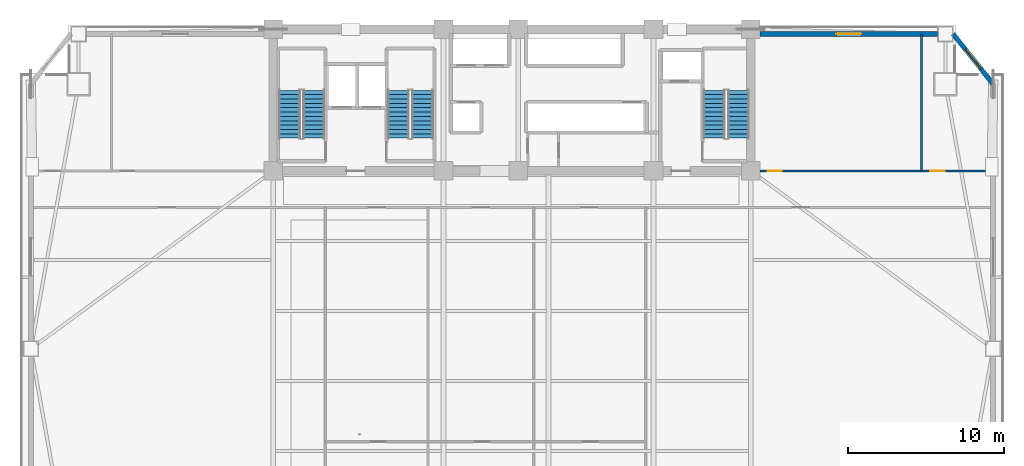
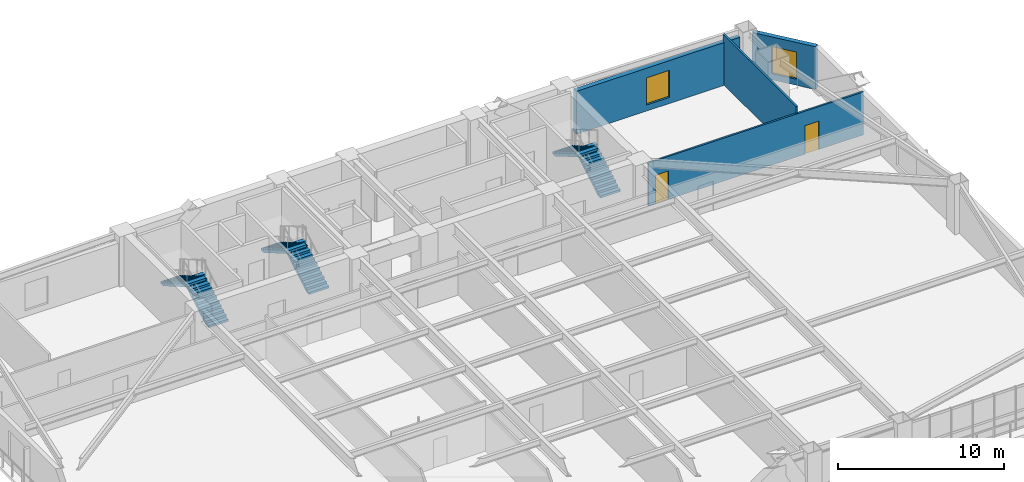
# One storey, part 10 of 16: 6 stair flights, 4 walls, 2 doors, 2 windows, 4 openings, 3 elements without a shape of their own.
"""IFC4 building model written with IfcOpenShell, lengths in metres."""

from ifc_helpers import new_model, si_unit, direction, frame, frame_2d, origin, place, context, subcontext, project, spatial, polyline, rectangle, outline, extrude, source, transform, mapped, material, layer, layer_set, type_object, element, fill, aggregate, save


model = new_model("IFC4")

# Units and contexts
model_context = context("Model", 3, precision=1e-05, world=origin(), true_north=direction((0.0, 1.0)))
body_context = subcontext(model_context, "Body", "Model", "MODEL_VIEW")
ifc_project = project(units=[si_unit("LENGTHUNIT", "METRE"), si_unit("AREAUNIT", "SQUARE_METRE"), si_unit("VOLUMEUNIT", "CUBIC_METRE"), si_unit("PLANEANGLEUNIT", "RADIAN"), si_unit("MASSUNIT", "GRAM", prefix="KILO")], contexts=[model_context])

# Site, building, storey
site_placement = place(None, origin())
site = spatial("IfcSite", under=ifc_project, at=site_placement, CompositionType="ELEMENT")
building_placement = place(site_placement, origin())
building = spatial("IfcBuilding", under=site, at=building_placement, Name="Giltprow Tower", CompositionType="ELEMENT")
storey_placement = place(building_placement, frame((0.0, 0.0, 87.39990234375)))
storey = spatial("IfcBuildingStorey", under=building, at=storey_placement, Name="L21", CompositionType="ELEMENT", Elevation=87.39990234375)

# Wall, opening, window
ifc_material_1 = material(Name="Precast concrete C40", Category="concrete")
ifc_layer_1 = layer(ifc_material_1, 0.300048828125, Name="Precast concrete C40")
ifc_layer_set_1 = layer_set([ifc_layer_1], Name="Precast concrete C40")
wall_type_1 = type_object("IfcWallType", Name="EW-NOTCH-CHAMFER-300", PredefinedType="SOLIDWALL", material=ifc_layer_set_1)
wall_1_placement = place(storey_placement, frame((66.1259765625, 43.030029296875, 0.0), z_axis=(0.0, 0.0, 1.0), x_axis=(-0.623820223262, 0.781567865926, 0.0)))
wall_1 = element("IfcWall", 1, at=wall_1_placement, inside=storey, type_object=wall_type_1, Name="L21 Corner Notch Wall NE", PredefinedType="SOLIDWALL", context=body_context, shape_type="SweptSolid", body=[
    extrude(rectangle(XDim=4.119873046875, YDim=0.300048828125, at=frame_2d((2.06005859375, 0.0))), origin(), (0.0, 0.0, 1.0), 3.16015625),
])
opening_1_placement = place(wall_1_placement, frame((1.260009765625, 0.0, 0.449951171875)))
opening_1 = element("IfcOpeningElement", 2, at=opening_1_placement, cuts=wall_1, Name="Opening WN17", PredefinedType="OPENING", context=body_context, shape_type="SweptSolid", body=[
    extrude(rectangle(XDim=1.60009765625, YDim=2.0, at=frame_2d((0.800048828125, 1.0))), frame((0.0, 0.159912109375, 0.0), z_axis=(0.0, -1.0, 0.0), x_axis=(1.0, 0.0, 0.0)), (0.0, 0.0, 1.0), 0.320068359375),
])
ifc_material_2 = material(Name="Insulated glass", Category="glass")
window_type = type_object("IfcWindowType", Name="WN-COR-1600x2000", PartitioningType="SINGLE_PANEL", PredefinedType="WINDOW", material=ifc_material_2)
shared_shape_1 = source(origin(), body_context, "Body", "SweptSolid", [
    extrude(rectangle(XDim=1.60009765625, YDim=2.0, at=frame_2d((0.800048828125, 1.0))), frame((0.0, 0.030029296875, 0.0), z_axis=(0.0, -1.0, 0.0), x_axis=(1.0, 0.0, 0.0)), (0.0, 0.0, 1.0), 0.06005859375),
])
window_1_placement = place(opening_1_placement, origin())
window_1 = element("IfcWindow", 3, at=window_1_placement, inside=storey, type_object=window_type, Name="L21 Corner Notch Window NE", OverallHeight=2.0, OverallWidth=1.60009765625, PartitioningType="SINGLE_PANEL", PredefinedType="WINDOW", context=body_context, shape_type="MappedRepresentation", body=[
    mapped(shared_shape_1, transform((0.0, 0.0, 0.0), x_axis=(1.0, 0.0, 0.0), y_axis=(0.0, 1.0, 0.0), z_axis=(0.0, 0.0, 1.0), scale=1.0)),
])
fill(opening_1, window_1)

ifc_layer_2 = layer(ifc_material_1, 0.320068359375, Name="Precast concrete C40")
ifc_layer_set_2 = layer_set([ifc_layer_2], Name="Precast concrete C40")
wall_type_2 = type_object("IfcWallType", Name="EW-TOW-STONE-320", PredefinedType="SOLIDWALL", material=ifc_layer_set_2)
wall_2_placement = place(storey_placement, frame((51.14990234375, 46.25, 0.0), z_axis=(0.0, 0.0, 1.0), x_axis=(1.0, 0.0, 0.0)))
wall_2 = element("IfcWall", 4, at=wall_2_placement, inside=storey, type_object=wall_type_2, Name="L21 North-East Wing Wall", PredefinedType="SOLIDWALL", context=body_context, shape_type="SweptSolid", body=[
    extrude(rectangle(XDim=11.406005859375, YDim=0.320068359375, at=frame_2d((5.703125, 0.0))), origin(), (0.0, 0.0, 1.0), 3.16015625),
])
opening_2_placement = place(wall_2_placement, frame((4.903076171875, 0.0, 0.449951171875)))
opening_2 = element("IfcOpeningElement", 5, at=opening_2_placement, cuts=wall_2, Name="Opening WN17", PredefinedType="OPENING", context=body_context, shape_type="SweptSolid", body=[
    extrude(rectangle(XDim=1.60009765625, YDim=2.0, at=frame_2d((0.800048828125, 1.0))), frame((0.0, 0.169921875, 0.0), z_axis=(0.0, -1.0, 0.0), x_axis=(1.0, 0.0, 0.0)), (0.0, 0.0, 1.0), 0.340087890625),
])
window_2_placement = place(opening_2_placement, origin())
window_2 = element("IfcWindow", 6, at=window_2_placement, inside=storey, type_object=window_type, Name="L21 North-East Window", OverallHeight=2.0, OverallWidth=1.60009765625, PartitioningType="SINGLE_PANEL", PredefinedType="WINDOW", context=body_context, shape_type="MappedRepresentation", body=[
    mapped(shared_shape_1, transform((0.0, 0.0, 0.0), x_axis=(1.0, 0.0, 0.0), y_axis=(0.0, 1.0, 0.0), z_axis=(0.0, 0.0, 1.0), scale=1.0)),
])
fill(opening_2, window_2)

# Wall, openings, doors
ifc_material_3 = material(Name="Concrete C30", Category="concrete")
ifc_layer_3 = layer(ifc_material_3, 0.1298828125, Name="Concrete C30")
ifc_layer_set_3 = layer_set([ifc_layer_3], Name="Concrete C30")
wall_type_3 = type_object("IfcWallType", Name="IW-WET-130", PredefinedType="PARTITIONING", material=ifc_layer_set_3)
wall_3_placement = place(storey_placement, frame((51.14990234375, 37.449951171875, 0.0), z_axis=(0.0, 0.0, 1.0), x_axis=(1.0, 0.0, 0.0)))
wall_3 = element("IfcWall", 7, at=wall_3_placement, inside=storey, type_object=wall_type_3, Name="L21 NE Wing South Wall", PredefinedType="PARTITIONING", context=body_context, shape_type="SweptSolid", body=[
    extrude(rectangle(XDim=14.97607421875, YDim=0.1298828125, at=frame_2d((7.488037109375, 0.0))), origin(), (0.0, 0.0, 1.0), 3.1650390625),
])
opening_3_placement = place(wall_3_placement, frame((0.5, 0.0, 0.0)))
opening_3 = element("IfcOpeningElement", 8, at=opening_3_placement, cuts=wall_3, Name="Opening ID15", PredefinedType="OPENING", context=body_context, shape_type="SweptSolid", body=[
    extrude(rectangle(XDim=0.89990234375, YDim=2.10009765625, at=frame_2d((0.449951171875, 1.050048828125))), frame((0.0, 0.074951171875, 0.0), z_axis=(0.0, -1.0, 0.0), x_axis=(1.0, 0.0, 0.0)), (0.0, 0.0, 1.0), 0.14990234375),
])
opening_4_placement = place(wall_3_placement, frame((10.923095703125, 0.0, 0.0)))
opening_4 = element("IfcOpeningElement", 9, at=opening_4_placement, cuts=wall_3, Name="Opening ID11", PredefinedType="OPENING", context=body_context, shape_type="SweptSolid", body=[
    extrude(rectangle(XDim=0.949951171875, YDim=2.10009765625, at=frame_2d((0.47509765625, 1.050048828125))), frame((0.0, 0.074951171875, 0.0), z_axis=(0.0, -1.0, 0.0), x_axis=(1.0, 0.0, 0.0)), (0.0, 0.0, 1.0), 0.14990234375),
])
ifc_material_4 = material(Name="Engineered timber", Category="wood")
door_type_1 = type_object("IfcDoorType", Name="DR-WC-900", OperationType="SINGLE_SWING_LEFT", PredefinedType="DOOR", material=ifc_material_4)
shared_shape_2 = source(origin(), body_context, "Body", "SweptSolid", [
    extrude(rectangle(XDim=0.89990234375, YDim=2.10009765625, at=frame_2d((0.449951171875, 1.050048828125))), frame((0.0, 0.02490234375, 0.0), z_axis=(0.0, -1.0, 0.0), x_axis=(1.0, 0.0, 0.0)), (0.0, 0.0, 1.0), 0.050048828125),
])
door_1_placement = place(opening_3_placement, origin())
door_1 = element("IfcDoor", 10, at=door_1_placement, inside=storey, type_object=door_type_1, Name="L21 East Wing Washroom Door", OperationType="SINGLE_SWING_RIGHT", OverallHeight=2.10009765625, OverallWidth=0.89990234375, PredefinedType="DOOR", context=body_context, shape_type="MappedRepresentation", body=[
    mapped(shared_shape_2, transform((0.0, 0.0, 0.0), x_axis=(1.0, 0.0, 0.0), y_axis=(0.0, 1.0, 0.0), z_axis=(0.0, 0.0, 1.0), scale=1.0)),
])
fill(opening_3, door_1)
door_type_2 = type_object("IfcDoorType", Name="DR-ROOM-950", OperationType="SINGLE_SWING_RIGHT", PredefinedType="DOOR", material=ifc_material_4)
shared_shape_3 = source(origin(), body_context, "Body", "SweptSolid", [
    extrude(rectangle(XDim=0.949951171875, YDim=2.10009765625, at=frame_2d((0.47509765625, 1.050048828125))), frame((0.0, 0.02490234375, 0.0), z_axis=(0.0, -1.0, 0.0), x_axis=(1.0, 0.0, 0.0)), (0.0, 0.0, 1.0), 0.050048828125),
])
door_2_placement = place(opening_4_placement, origin())
door_2 = element("IfcDoor", 11, at=door_2_placement, inside=storey, type_object=door_type_2, Name="L21 East Tenant Archive Store Door", OperationType="SINGLE_SWING_LEFT", OverallHeight=2.10009765625, OverallWidth=0.949951171875, PredefinedType="DOOR", context=body_context, shape_type="MappedRepresentation", body=[
    mapped(shared_shape_3, transform((0.0, 0.0, 0.0), x_axis=(1.0, 0.0, 0.0), y_axis=(0.0, 1.0, 0.0), z_axis=(0.0, 0.0, 1.0), scale=1.0)),
])
fill(opening_4, door_2)

# Wall
wall_4_placement = place(storey_placement, frame((61.52294921875, 37.449951171875, 0.0), z_axis=(0.0, 0.0, 1.0), x_axis=(0.0, 1.0, 0.0)))
element("IfcWall", 12, at=wall_4_placement, inside=storey, type_object=wall_type_3, Name="L21 NE Wing Divider", PredefinedType="PARTITIONING", context=body_context, shape_type="SweptSolid", body=[
    extrude(rectangle(XDim=8.800048828125, YDim=0.1298828125, at=frame_2d((4.39990234375, 0.0))), origin(), (0.0, 0.0, 1.0), 3.68017578125),
])

# Stair, stair flights
ifc_material_5 = material(Name="Concrete C40", Category="concrete")
stair_type_1 = type_object("IfcStairType", Name="STR-ST-1", PredefinedType="HALF_TURN_STAIR", material=ifc_material_5)
stair_1_placement = place(storey_placement, origin())
stair_1 = element("IfcStair", 13, at=stair_1_placement, inside=storey, type_object=stair_type_1, Name="L21 Core Exit Stair ST-1", PredefinedType="HALF_TURN_STAIR")
stair_flight_type_1 = type_object("IfcStairFlightType", Name="SFL-ST-1", PredefinedType="STRAIGHT", material=ifc_material_5)
stair_flight_1_placement = place(storey_placement, frame((22.4599609375, 39.550048828125, 0.0), z_axis=(0.0, 0.0, 1.0), x_axis=(0.0, 1.0, 0.0)))
stair_flight_1 = element("IfcStairFlight", 14, at=stair_flight_1_placement, type_object=stair_flight_type_1, Name="ST-1 flight 1", NumberOfRisers=12, NumberOfTreads=11, PredefinedType="STRAIGHT", RiserHeight=0.1625, TreadLength=0.28, context=body_context, shape_type="SweptSolid", body=[
    extrude(outline(polyline([(0.0, 0.0), (0.0, 0.16259765625), (0.280029296875, 0.16259765625), (0.280029296875, 0.324951171875), (0.56005859375, 0.324951171875), (0.56005859375, 0.487548828125), (0.840087890625, 0.487548828125), (0.840087890625, 0.64990234375), (1.1201171875, 0.64990234375), (1.1201171875, 0.8125), (1.39990234375, 0.8125), (1.39990234375, 0.97509765625), (1.679931640625, 0.97509765625), (1.679931640625, 1.137451171875), (1.9599609375, 1.137451171875), (1.9599609375, 1.300048828125), (2.239990234375, 1.300048828125), (2.239990234375, 1.46240234375), (2.52001953125, 1.46240234375), (2.52001953125, 1.625), (2.800048828125, 1.625), (2.800048828125, 1.78759765625), (3.080078125, 1.78759765625), (3.080078125, 1.949951171875), (3.080078125, 1.6142578125), (0.298583984375, 0.0), (0.0, 0.0)])), frame((0.0, 0.699951171875, 0.0), z_axis=(0.0, -1.0, 0.0), x_axis=(1.0, 0.0, 0.0)), (0.0, 0.0, 1.0), 1.39990234375),
])
stair_flight_2_placement = place(storey_placement, frame((20.89990234375, 42.6298828125, 1.9501953125), z_axis=(0.0, 0.0, 1.0), x_axis=(0.0, -1.0, 0.0)))
stair_flight_2 = element("IfcStairFlight", 15, at=stair_flight_2_placement, type_object=stair_flight_type_1, Name="ST-1 flight 2", NumberOfRisers=12, NumberOfTreads=11, PredefinedType="STRAIGHT", RiserHeight=0.1625, TreadLength=0.28, context=body_context, shape_type="SweptSolid", body=[
    extrude(outline(polyline([(0.0, 0.0), (0.0, 0.16259765625), (0.280029296875, 0.16259765625), (0.280029296875, 0.324951171875), (0.56005859375, 0.324951171875), (0.56005859375, 0.487548828125), (0.840087890625, 0.487548828125), (0.840087890625, 0.64990234375), (1.1201171875, 0.64990234375), (1.1201171875, 0.8125), (1.39990234375, 0.8125), (1.39990234375, 0.97509765625), (1.679931640625, 0.97509765625), (1.679931640625, 1.137451171875), (1.9599609375, 1.137451171875), (1.9599609375, 1.300048828125), (2.239990234375, 1.300048828125), (2.239990234375, 1.46240234375), (2.52001953125, 1.46240234375), (2.52001953125, 1.625), (2.800048828125, 1.625), (2.800048828125, 1.78759765625), (3.080078125, 1.78759765625), (3.080078125, 1.949951171875), (3.080078125, 1.6142578125), (0.298583984375, 0.0), (0.0, 0.0)])), frame((0.0, 0.699951171875, 0.0), z_axis=(0.0, -1.0, 0.0), x_axis=(1.0, 0.0, 0.0)), (0.0, 0.0, 1.0), 1.39990234375),
])
aggregate(stair_1, [stair_flight_1, stair_flight_2])

stair_type_2 = type_object("IfcStairType", Name="STR-ST-2", PredefinedType="HALF_TURN_STAIR", material=ifc_material_5)
stair_2_placement = place(storey_placement, origin())
stair_2 = element("IfcStair", 16, at=stair_2_placement, inside=storey, type_object=stair_type_2, Name="L21 Core Exit Stair ST-2", PredefinedType="HALF_TURN_STAIR")
stair_flight_type_2 = type_object("IfcStairFlightType", Name="SFL-ST-2", PredefinedType="STRAIGHT", material=ifc_material_5)
stair_flight_3_placement = place(storey_placement, frame((29.4599609375, 39.550048828125, 0.0), z_axis=(0.0, 0.0, 1.0), x_axis=(0.0, 1.0, 0.0)))
stair_flight_3 = element("IfcStairFlight", 17, at=stair_flight_3_placement, type_object=stair_flight_type_2, Name="ST-2 flight 1", NumberOfRisers=12, NumberOfTreads=11, PredefinedType="STRAIGHT", RiserHeight=0.1625, TreadLength=0.28, context=body_context, shape_type="SweptSolid", body=[
    extrude(outline(polyline([(0.0, 0.0), (0.0, 0.16259765625), (0.280029296875, 0.16259765625), (0.280029296875, 0.324951171875), (0.56005859375, 0.324951171875), (0.56005859375, 0.487548828125), (0.840087890625, 0.487548828125), (0.840087890625, 0.64990234375), (1.1201171875, 0.64990234375), (1.1201171875, 0.8125), (1.39990234375, 0.8125), (1.39990234375, 0.97509765625), (1.679931640625, 0.97509765625), (1.679931640625, 1.137451171875), (1.9599609375, 1.137451171875), (1.9599609375, 1.300048828125), (2.239990234375, 1.300048828125), (2.239990234375, 1.46240234375), (2.52001953125, 1.46240234375), (2.52001953125, 1.625), (2.800048828125, 1.625), (2.800048828125, 1.78759765625), (3.080078125, 1.78759765625), (3.080078125, 1.949951171875), (3.080078125, 1.6142578125), (0.298583984375, 0.0), (0.0, 0.0)])), frame((0.0, 0.699951171875, 0.0), z_axis=(0.0, -1.0, 0.0), x_axis=(1.0, 0.0, 0.0)), (0.0, 0.0, 1.0), 1.39990234375),
])
stair_flight_4_placement = place(storey_placement, frame((27.89990234375, 42.6298828125, 1.9501953125), z_axis=(0.0, 0.0, 1.0), x_axis=(0.0, -1.0, 0.0)))
stair_flight_4 = element("IfcStairFlight", 18, at=stair_flight_4_placement, type_object=stair_flight_type_2, Name="ST-2 flight 2", NumberOfRisers=12, NumberOfTreads=11, PredefinedType="STRAIGHT", RiserHeight=0.1625, TreadLength=0.28, context=body_context, shape_type="SweptSolid", body=[
    extrude(outline(polyline([(0.0, 0.0), (0.0, 0.16259765625), (0.280029296875, 0.16259765625), (0.280029296875, 0.324951171875), (0.56005859375, 0.324951171875), (0.56005859375, 0.487548828125), (0.840087890625, 0.487548828125), (0.840087890625, 0.64990234375), (1.1201171875, 0.64990234375), (1.1201171875, 0.8125), (1.39990234375, 0.8125), (1.39990234375, 0.97509765625), (1.679931640625, 0.97509765625), (1.679931640625, 1.137451171875), (1.9599609375, 1.137451171875), (1.9599609375, 1.300048828125), (2.239990234375, 1.300048828125), (2.239990234375, 1.46240234375), (2.52001953125, 1.46240234375), (2.52001953125, 1.625), (2.800048828125, 1.625), (2.800048828125, 1.78759765625), (3.080078125, 1.78759765625), (3.080078125, 1.949951171875), (3.080078125, 1.6142578125), (0.298583984375, 0.0), (0.0, 0.0)])), frame((0.0, 0.699951171875, 0.0), z_axis=(0.0, -1.0, 0.0), x_axis=(1.0, 0.0, 0.0)), (0.0, 0.0, 1.0), 1.39990234375),
])
aggregate(stair_2, [stair_flight_3, stair_flight_4])

stair_type_3 = type_object("IfcStairType", Name="STR-ST-3", PredefinedType="HALF_TURN_STAIR", material=ifc_material_5)
stair_3_placement = place(storey_placement, origin())
stair_3 = element("IfcStair", 19, at=stair_3_placement, inside=storey, type_object=stair_type_3, Name="L21 Core Exit Stair ST-3", PredefinedType="HALF_TURN_STAIR")
stair_flight_type_3 = type_object("IfcStairFlightType", Name="SFL-ST-3", PredefinedType="STRAIGHT", material=ifc_material_5)
stair_flight_5_placement = place(storey_placement, frame((49.760009765625, 39.550048828125, 0.0), z_axis=(0.0, 0.0, 1.0), x_axis=(0.0, 1.0, 0.0)))
stair_flight_5 = element("IfcStairFlight", 20, at=stair_flight_5_placement, type_object=stair_flight_type_3, Name="ST-3 flight 1", NumberOfRisers=12, NumberOfTreads=11, PredefinedType="STRAIGHT", RiserHeight=0.1625, TreadLength=0.28, context=body_context, shape_type="SweptSolid", body=[
    extrude(outline(polyline([(0.0, 0.0), (0.0, 0.16259765625), (0.280029296875, 0.16259765625), (0.280029296875, 0.324951171875), (0.56005859375, 0.324951171875), (0.56005859375, 0.487548828125), (0.840087890625, 0.487548828125), (0.840087890625, 0.64990234375), (1.1201171875, 0.64990234375), (1.1201171875, 0.8125), (1.39990234375, 0.8125), (1.39990234375, 0.97509765625), (1.679931640625, 0.97509765625), (1.679931640625, 1.137451171875), (1.9599609375, 1.137451171875), (1.9599609375, 1.300048828125), (2.239990234375, 1.300048828125), (2.239990234375, 1.46240234375), (2.52001953125, 1.46240234375), (2.52001953125, 1.625), (2.800048828125, 1.625), (2.800048828125, 1.78759765625), (3.080078125, 1.78759765625), (3.080078125, 1.949951171875), (3.080078125, 1.6142578125), (0.298583984375, 0.0), (0.0, 0.0)])), frame((0.0, 0.699951171875, 0.0), z_axis=(0.0, -1.0, 0.0), x_axis=(1.0, 0.0, 0.0)), (0.0, 0.0, 1.0), 1.39990234375),
])
stair_flight_6_placement = place(storey_placement, frame((48.199951171875, 42.6298828125, 1.9501953125), z_axis=(0.0, 0.0, 1.0), x_axis=(0.0, -1.0, 0.0)))
stair_flight_6 = element("IfcStairFlight", 21, at=stair_flight_6_placement, type_object=stair_flight_type_3, Name="ST-3 flight 2", NumberOfRisers=12, NumberOfTreads=11, PredefinedType="STRAIGHT", RiserHeight=0.1625, TreadLength=0.28, context=body_context, shape_type="SweptSolid", body=[
    extrude(outline(polyline([(0.0, 0.0), (0.0, 0.16259765625), (0.280029296875, 0.16259765625), (0.280029296875, 0.324951171875), (0.56005859375, 0.324951171875), (0.56005859375, 0.487548828125), (0.840087890625, 0.487548828125), (0.840087890625, 0.64990234375), (1.1201171875, 0.64990234375), (1.1201171875, 0.8125), (1.39990234375, 0.8125), (1.39990234375, 0.97509765625), (1.679931640625, 0.97509765625), (1.679931640625, 1.137451171875), (1.9599609375, 1.137451171875), (1.9599609375, 1.300048828125), (2.239990234375, 1.300048828125), (2.239990234375, 1.46240234375), (2.52001953125, 1.46240234375), (2.52001953125, 1.625), (2.800048828125, 1.625), (2.800048828125, 1.78759765625), (3.080078125, 1.78759765625), (3.080078125, 1.949951171875), (3.080078125, 1.6142578125), (0.298583984375, 0.0), (0.0, 0.0)])), frame((0.0, 0.699951171875, 0.0), z_axis=(0.0, -1.0, 0.0), x_axis=(1.0, 0.0, 0.0)), (0.0, 0.0, 1.0), 1.39990234375),
])
aggregate(stair_3, [stair_flight_5, stair_flight_6])

save(model, "model.ifc")
